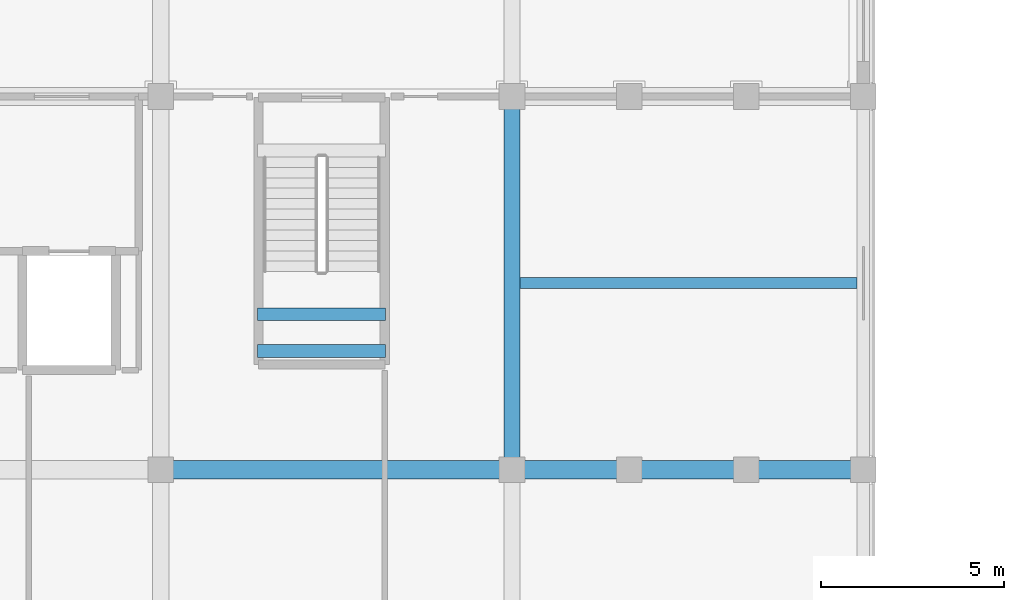
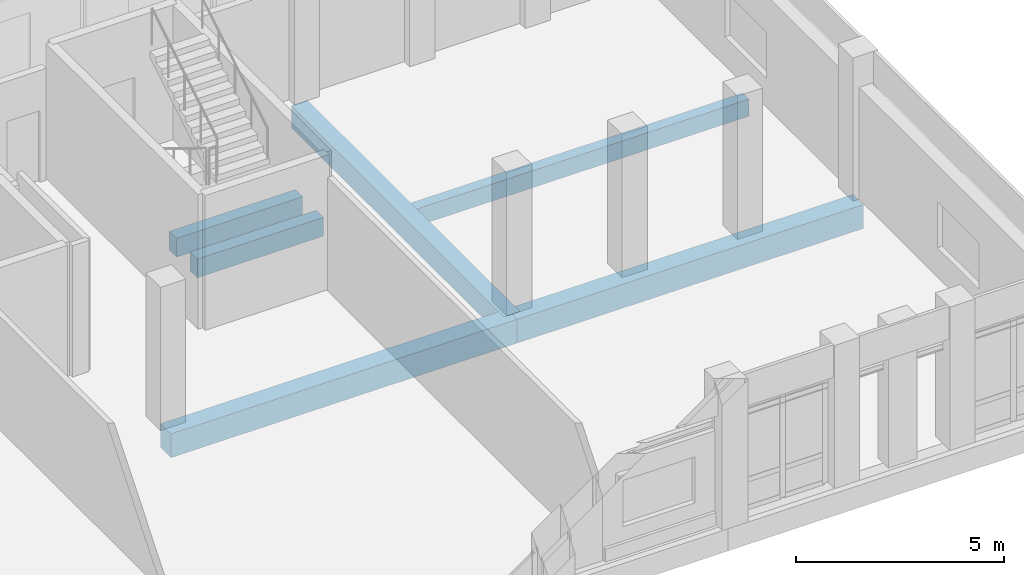
# One storey, part 27 of 185: 6 beams.
"""IFC4 building model written with IfcOpenShell, lengths in metres."""

from ifc_helpers import new_model, si_unit, direction, frame, origin, origin_2d, place, context, subcontext, project, spatial, rectangle, extrude, material, material_profile, profile_set, type_object, element, save


model = new_model("IFC4")

# Units and contexts
model_context = context("Model", 3, precision=1e-05, world=origin(), true_north=direction((0.0, 1.0)))
body_context = subcontext(model_context, "Body", "Model", "MODEL_VIEW")
ifc_project = project(units=[si_unit("LENGTHUNIT", "METRE"), si_unit("AREAUNIT", "SQUARE_METRE"), si_unit("VOLUMEUNIT", "CUBIC_METRE"), si_unit("PLANEANGLEUNIT", "RADIAN"), si_unit("MASSUNIT", "GRAM", prefix="KILO")], contexts=[model_context])

# Site, building, storey
site_placement = place(None, origin())
site = spatial("IfcSite", under=ifc_project, at=site_placement, CompositionType="ELEMENT")
building_placement = place(site_placement, origin())
building = spatial("IfcBuilding", under=site, at=building_placement, Name="Vondelvale Polytechnic", CompositionType="ELEMENT")
storey_placement = place(building_placement, frame((0.0, 0.0, 9.60009765625)))
storey = spatial("IfcBuildingStorey", under=building, at=storey_placement, Name="L02", CompositionType="ELEMENT", Elevation=9.60009765625)

# Beams
ifc_material = material(Name="Concrete N40 (f'c = 40 MPa)", Category="concrete")
ifc_material_profile_1 = material_profile(ifc_material, rectangle(XDim=0.35009765625, YDim=0.550048828125, at=origin_2d()), Name="RC-BM-350x550")
ifc_profile_set_1 = profile_set([ifc_material_profile_1], Name="Concrete N40 (f'c = 40 MPa)")
beam_type_1 = type_object("IfcBeamType", Name="BM-RC350x550", PredefinedType="BEAM", material=ifc_profile_set_1)
for number, where, z_axis, x_axis, name in (
    (1, (31.449951171875, 14.449951171875, 1.625), (1.0, 0.0, 0.0), (0.0, 1.0, 0.0), "L02 STLD B-06"),
    (2, (31.449951171875, 13.449951171875, 1.625), (1.0, 0.0, 0.0), (0.0, 1.0, 0.0), "L02 STLD B-06"),
):
    element("IfcBeam", number, at=place(storey_placement, frame(where, z_axis=z_axis, x_axis=x_axis)), inside=storey, type_object=beam_type_1, Name=name, PredefinedType="BEAM", context=body_context, shape_type="SweptSolid", body=[
        extrude(rectangle(XDim=0.35009765625, YDim=0.550048828125, at=origin_2d()), origin(), (0.0, 0.0, 1.0), 3.5),
    ])
ifc_material_profile_2 = material_profile(ifc_material, rectangle(XDim=0.449951171875, YDim=0.64990234375, at=origin_2d()), Name="RC-BM-450x650")
ifc_profile_set_2 = profile_set([ifc_material_profile_2], Name="Concrete N40 (f'c = 40 MPa)")
beam_type_2 = type_object("IfcBeamType", Name="BM-RC450x650", PredefinedType="BEAM", material=ifc_profile_set_2)
beam_1_placement = place(storey_placement, frame((38.39990234375, 10.199951171875, -0.60498046875), z_axis=(0.0, 1.0, 0.0), x_axis=(-1.0, 0.0, 0.0)))
element("IfcBeam", 3, at=beam_1_placement, inside=storey, type_object=beam_type_2, Name="L02 B B-04", PredefinedType="BEAM", context=body_context, shape_type="SweptSolid", body=[
    extrude(rectangle(XDim=0.449951171875, YDim=0.64990234375, at=origin_2d()), origin(), (0.0, 0.0, 1.0), 10.199951171875),
])
ifc_material_profile_3 = material_profile(ifc_material, rectangle(XDim=0.5, YDim=0.699951171875, at=origin_2d()), Name="RC-BM-500x700")
ifc_profile_set_3 = profile_set([ifc_material_profile_3], Name="Concrete N40 (f'c = 40 MPa)")
beam_type_3 = type_object("IfcBeamType", Name="BM-RC500x700", PredefinedType="BEAM", material=ifc_profile_set_3)
beam_2_placement = place(storey_placement, frame((28.800048828125, 10.199951171875, -0.630126953125), z_axis=(1.0, 0.0, 0.0), x_axis=(0.0, 1.0, 0.0)))
element("IfcBeam", 4, at=beam_2_placement, inside=storey, type_object=beam_type_3, Name="L02 B B-03", PredefinedType="BEAM", context=body_context, shape_type="SweptSolid", body=[
    extrude(rectangle(XDim=0.5, YDim=0.699951171875, at=origin_2d()), origin(), (0.0, 0.0, 1.0), 9.599853515625),
])
beam_3_placement = place(storey_placement, frame((38.39990234375, 10.199951171875, -0.630126953125), z_axis=(1.0, 0.0, 0.0), x_axis=(0.0, 1.0, 0.0)))
element("IfcBeam", 5, at=beam_3_placement, inside=storey, type_object=beam_type_3, Name="L02 B B-03", PredefinedType="BEAM", context=body_context, shape_type="SweptSolid", body=[
    extrude(rectangle(XDim=0.5, YDim=0.699951171875, at=origin_2d()), origin(), (0.0, 0.0, 1.0), 9.60009765625),
])
ifc_material_profile_4 = material_profile(ifc_material, rectangle(XDim=0.300048828125, YDim=0.5, at=origin_2d()), Name="RC-JST-300x500")
ifc_profile_set_4 = profile_set([ifc_material_profile_4], Name="Concrete N40 (f'c = 40 MPa)")
beam_type_4 = type_object("IfcBeamType", Name="JST-RC300x500", PredefinedType="JOIST", material=ifc_profile_set_4)
beam_4_placement = place(storey_placement, frame((38.625, 15.300048828125, -0.530029296875), z_axis=(1.0, 0.0, 0.0), x_axis=(0.0, 1.0, 0.0)))
element("IfcBeam", 6, at=beam_4_placement, inside=storey, type_object=beam_type_4, Name="L02 J J-02", PredefinedType="JOIST", context=body_context, shape_type="SweptSolid", body=[
    extrude(rectangle(XDim=0.300048828125, YDim=0.5, at=origin_2d()), origin(), (0.0, 0.0, 1.0), 9.199951171875),
])

save(model, "model.ifc")
